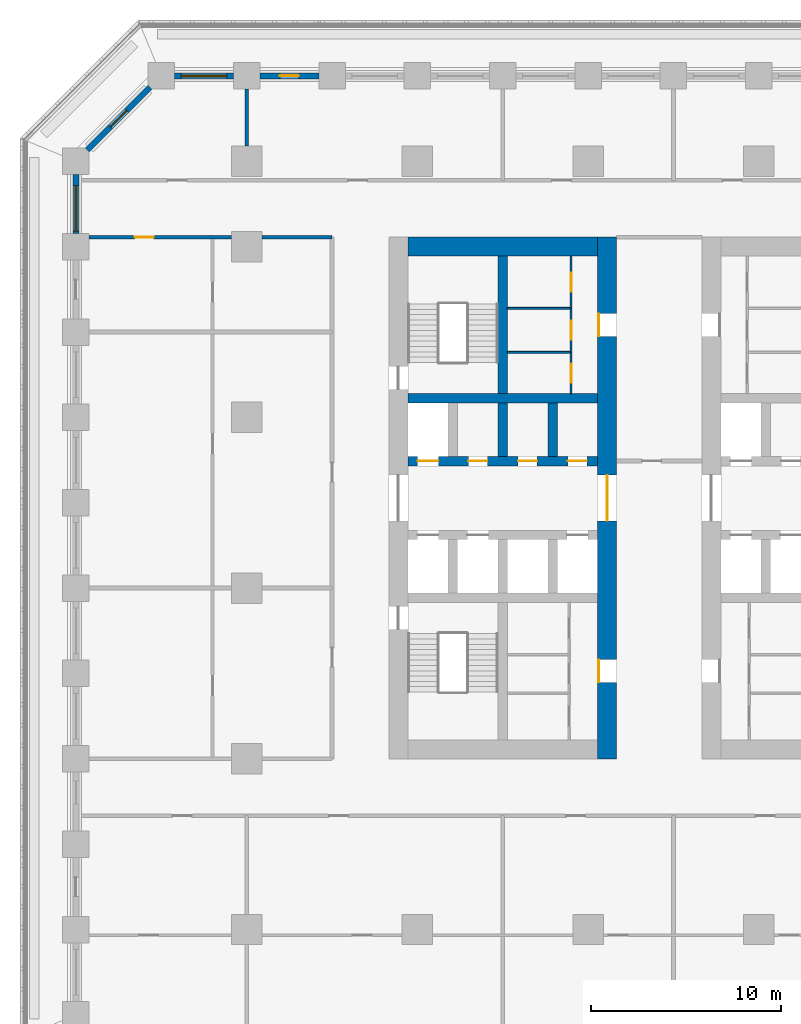
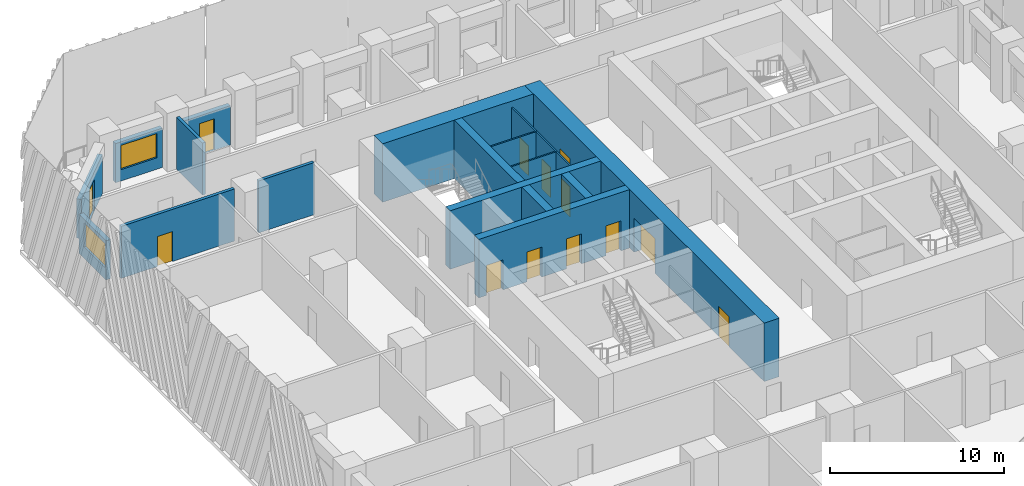
# One storey, part 14 of 31: 19 walls, 13 doors, 2 windows, 15 openings.
"""IFC4 building model written with IfcOpenShell, lengths in metres."""

from ifc_helpers import new_model, si_unit, direction, frame, frame_2d, origin, place, context, subcontext, project, spatial, rectangle, extrude, material, layer, layer_set, type_object, element, fill, save


model = new_model("IFC4")

# Units and contexts
model_context = context("Model", 3, precision=1e-05, world=origin(), true_north=direction((0.0, 1.0)))
body_context = subcontext(model_context, "Body", "Model", "MODEL_VIEW")
ifc_project = project(units=[si_unit("LENGTHUNIT", "METRE"), si_unit("AREAUNIT", "SQUARE_METRE"), si_unit("VOLUMEUNIT", "CUBIC_METRE"), si_unit("PLANEANGLEUNIT", "RADIAN"), si_unit("MASSUNIT", "GRAM", prefix="KILO")], contexts=[model_context])

# Site, building, storey
site_placement = place(None, origin())
site = spatial("IfcSite", under=ifc_project, at=site_placement, CompositionType="ELEMENT")
building_placement = place(site_placement, origin())
building = spatial("IfcBuilding", under=site, at=building_placement, Name="Corbel Stack Research Tower", CompositionType="ELEMENT")
storey_placement = place(building_placement, frame((0.0, 0.0, 15.39990234375)))
storey = spatial("IfcBuildingStorey", under=building, at=storey_placement, Name="L03", CompositionType="ELEMENT", Elevation=15.39990234375)

# Wall, openings, doors
ifc_material_1 = material(Name="Concrete C70/85", Category="concrete")
ifc_layer_1 = layer(ifc_material_1, 1.0)
ifc_layer_set_1 = layer_set([ifc_layer_1], Name="Concrete C70/85")
wall_type_1 = type_object("IfcWallType", Name="CW-1000-70", PredefinedType="SHEAR", material=ifc_layer_set_1)
wall_1_placement = place(storey_placement, frame((1.0, -9.0, 0.0), z_axis=(0.0, 0.0, 1.0), x_axis=(0.0, 1.0, 0.0)))
wall_1 = element("IfcWall", 1, at=wall_1_placement, inside=storey, type_object=wall_type_1, Name="West core wall, east face L03", PredefinedType="SHEAR", context=body_context, shape_type="SweptSolid", body=[
    extrude(rectangle(XDim=27.5, YDim=1.0, at=frame_2d((13.75, 0.0))), origin(), (0.0, 0.0, 1.0), 4.10009765625),
])
opening_1_placement = place(wall_1_placement, frame((12.550048828125, 0.0, 0.0)))
opening_1 = element("IfcOpeningElement", 2, at=opening_1_placement, cuts=wall_1, Name="Opening CD-W-E", PredefinedType="OPENING", context=body_context, shape_type="SweptSolid", body=[
    extrude(rectangle(XDim=2.39990234375, YDim=2.39990234375, at=frame_2d((1.199951171875, 1.199951171875))), frame((0.0, 0.510009765625, 0.0), z_axis=(0.0, -1.0, 0.0), x_axis=(1.0, 0.0, 0.0)), (0.0, 0.0, 1.0), 1.02001953125),
])
opening_2_placement = place(wall_1_placement, frame((4.02490234375, 0.0, 0.0)))
opening_2 = element("IfcOpeningElement", 3, at=opening_2_placement, cuts=wall_1, Name="Opening CR-W12-W1-1200", PredefinedType="OPENING", context=body_context, shape_type="SweptSolid", body=[
    extrude(rectangle(XDim=1.199951171875, YDim=2.10009765625, at=frame_2d((0.60009765625, 1.050048828125))), frame((0.0, 0.510009765625, 0.0), z_axis=(0.0, -1.0, 0.0), x_axis=(1.0, 0.0, 0.0)), (0.0, 0.0, 1.0), 1.02001953125),
])
opening_3_placement = place(wall_1_placement, frame((22.27490234375, 0.0, 0.0)))
opening_3 = element("IfcOpeningElement", 4, at=opening_3_placement, cuts=wall_1, Name="Opening CR-W12-R1-1200", PredefinedType="OPENING", context=body_context, shape_type="SweptSolid", body=[
    extrude(rectangle(XDim=1.199951171875, YDim=2.10009765625, at=frame_2d((0.60009765625, 1.050048828125))), frame((0.0, 0.510009765625, 0.0), z_axis=(0.0, -1.0, 0.0), x_axis=(1.0, 0.0, 0.0)), (0.0, 0.0, 1.0), 1.02001953125),
])
ifc_material_2 = material(Name="Painted steel fire door", Category="steel")
door_type_1 = type_object("IfcDoorType", Name="Lobby door pair 2400 x 2400 FD30S", OperationType="DOUBLE_DOOR_DOUBLE_SWING", PredefinedType="DOOR", material=ifc_material_2)
door_1_placement = place(opening_1_placement, origin())
door_1 = element("IfcDoor", 5, at=door_1_placement, inside=storey, type_object=door_type_1, Name="Lift lobby door W core E", OperationType="DOUBLE_DOOR_DOUBLE_SWING", OverallHeight=2.39990234375, OverallWidth=2.39990234375, PredefinedType="DOOR", context=body_context, shape_type="SweptSolid", body=[
    extrude(rectangle(XDim=2.39990234375, YDim=2.39990234375, at=frame_2d((1.199951171875, 1.199951171875))), frame((0.0, 0.02490234375, 0.0), z_axis=(0.0, -1.0, 0.0), x_axis=(1.0, 0.0, 0.0)), (0.0, 0.0, 1.0), 0.050048828125),
])
fill(opening_1, door_1)
ifc_material_3 = material(Name="Painted steel door", Category="steel")
door_type_2 = type_object("IfcDoorType", Name="Service door 1200 x 2100 FD30 left hand", OperationType="SINGLE_SWING_LEFT", PredefinedType="DOOR", material=ifc_material_3)
door_2_placement = place(opening_3_placement, origin())
door_2 = element("IfcDoor", 6, at=door_2_placement, inside=storey, type_object=door_type_2, Name="Service passage door W core", OperationType="SINGLE_SWING_LEFT", OverallHeight=2.10009765625, OverallWidth=1.199951171875, PredefinedType="DOOR", context=body_context, shape_type="SweptSolid", body=[
    extrude(rectangle(XDim=1.199951171875, YDim=2.10009765625, at=frame_2d((0.60009765625, 1.050048828125))), frame((0.0, 0.47509765625, 0.0), z_axis=(0.0, -1.0, 0.0), x_axis=(1.0, 0.0, 0.0)), (0.0, 0.0, 1.0), 0.050048828125),
])
fill(opening_3, door_2)
ifc_material_4 = material(Name="Painted timber door", Category="wood")
door_type_3 = type_object("IfcDoorType", Name="WC door 1200 x 2100 left hand", OperationType="SINGLE_SWING_LEFT", PredefinedType="DOOR", material=ifc_material_4)
door_3_placement = place(opening_2_placement, origin())
door_3 = element("IfcDoor", 7, at=door_3_placement, inside=storey, type_object=door_type_3, Name="WC lobby door W core", OperationType="SINGLE_SWING_LEFT", OverallHeight=2.10009765625, OverallWidth=1.199951171875, PredefinedType="DOOR", context=body_context, shape_type="SweptSolid", body=[
    extrude(rectangle(XDim=1.199951171875, YDim=2.10009765625, at=frame_2d((0.60009765625, 1.050048828125))), frame((0.0, 0.47509765625, 0.0), z_axis=(0.0, -1.0, 0.0), x_axis=(1.0, 0.0, 0.0)), (0.0, 0.0, 1.0), 0.050048828125),
])
fill(opening_2, door_3)

# Wall
wall_2_placement = place(storey_placement, frame((-9.5, 18.0, 0.0), z_axis=(0.0, 0.0, 1.0), x_axis=(1.0, 0.0, 0.0)))
element("IfcWall", 8, at=wall_2_placement, inside=storey, type_object=wall_type_1, Name="West core wall, north end L03", PredefinedType="SHEAR", context=body_context, shape_type="SweptSolid", body=[
    extrude(rectangle(XDim=10.0, YDim=1.0, at=frame_2d((5.0, 0.0))), origin(), (0.0, 0.0, 1.0), 4.10009765625),
])

# Wall, openings, doors
ifc_material_5 = material(Name="Concrete C70/85", Category="concrete")
ifc_layer_2 = layer(ifc_material_5, 0.5)
ifc_layer_set_2 = layer_set([ifc_layer_2], Name="Concrete C70/85")
wall_type_2 = type_object("IfcWallType", Name="CW-500-70", PredefinedType="SHEAR", material=ifc_layer_set_2)
wall_3_placement = place(storey_placement, frame((-9.5, 6.699951171875, 0.0), z_axis=(0.0, 0.0, 1.0), x_axis=(1.0, 0.0, 0.0)))
wall_3 = element("IfcWall", 9, at=wall_3_placement, inside=storey, type_object=wall_type_2, Name="West core wall, lobby north L03", PredefinedType="SHEAR", context=body_context, shape_type="SweptSolid", body=[
    extrude(rectangle(XDim=10.0, YDim=0.5, at=frame_2d((5.0, 0.0))), origin(), (0.0, 0.0, 1.0), 4.10009765625),
])
opening_4_placement = place(wall_3_placement, frame((0.512451171875, 0.0, 0.0)))
opening_4 = element("IfcOpeningElement", 10, at=opening_4_placement, cuts=wall_3, Name="Opening LD-LR2", PredefinedType="OPENING", context=body_context, shape_type="SweptSolid", body=[
    extrude(rectangle(XDim=1.10009765625, YDim=2.10009765625, at=frame_2d((0.550048828125, 1.050048828125))), frame((0.0, 0.260009765625, 0.0), z_axis=(0.0, -1.0, 0.0), x_axis=(1.0, 0.0, 0.0)), (0.0, 0.0, 1.0), 0.52001953125),
])
opening_5_placement = place(wall_3_placement, frame((3.1875, 0.0, 0.0)))
opening_5 = element("IfcOpeningElement", 11, at=opening_5_placement, cuts=wall_3, Name="Opening CR-W12-N2", PredefinedType="OPENING", context=body_context, shape_type="SweptSolid", body=[
    extrude(rectangle(XDim=1.0, YDim=2.10009765625, at=frame_2d((0.5, 1.050048828125))), frame((0.0, 0.260009765625, 0.0), z_axis=(0.0, -1.0, 0.0), x_axis=(1.0, 0.0, 0.0)), (0.0, 0.0, 1.0), 0.52001953125),
])
opening_6_placement = place(wall_3_placement, frame((5.8125, 0.0, 0.0)))
opening_6 = element("IfcOpeningElement", 12, at=opening_6_placement, cuts=wall_3, Name="Opening CR-W12-N3", PredefinedType="OPENING", context=body_context, shape_type="SweptSolid", body=[
    extrude(rectangle(XDim=1.0, YDim=2.10009765625, at=frame_2d((0.5, 1.050048828125))), frame((0.0, 0.260009765625, 0.0), z_axis=(0.0, -1.0, 0.0), x_axis=(1.0, 0.0, 0.0)), (0.0, 0.0, 1.0), 0.52001953125),
])
opening_7_placement = place(wall_3_placement, frame((8.4375, 0.0, 0.0)))
opening_7 = element("IfcOpeningElement", 13, at=opening_7_placement, cuts=wall_3, Name="Opening CR-W12-N4", PredefinedType="OPENING", context=body_context, shape_type="SweptSolid", body=[
    extrude(rectangle(XDim=1.0, YDim=2.10009765625, at=frame_2d((0.5, 1.050048828125))), frame((0.0, 0.260009765625, 0.0), z_axis=(0.0, -1.0, 0.0), x_axis=(1.0, 0.0, 0.0)), (0.0, 0.0, 1.0), 0.52001953125),
])
ifc_material_6 = material(Name="Stainless steel landing door", Category="steel")
door_type_4 = type_object("IfcDoorType", Name="Lift landing door 1100 x 2100", OperationType="DOUBLE_DOOR_SLIDING", PredefinedType="DOOR", material=ifc_material_6)
door_4_placement = place(opening_4_placement, origin())
door_4 = element("IfcDoor", 14, at=door_4_placement, inside=storey, type_object=door_type_4, Name="Landing door LR2", OperationType="DOUBLE_DOOR_SLIDING", OverallHeight=2.10009765625, OverallWidth=1.10009765625, PredefinedType="DOOR", context=body_context, shape_type="SweptSolid", body=[
    extrude(rectangle(XDim=1.10009765625, YDim=2.10009765625, at=frame_2d((0.550048828125, 1.050048828125))), frame((0.0, 0.02490234375, 0.0), z_axis=(0.0, -1.0, 0.0), x_axis=(1.0, 0.0, 0.0)), (0.0, 0.0, 1.0), 0.050048828125),
])
fill(opening_4, door_4)
ifc_material_7 = material(Name="Painted steel door", Category="steel")
door_type_5 = type_object("IfcDoorType", Name="Service door 1000 x 2100 FD60 left hand", OperationType="SINGLE_SWING_LEFT", PredefinedType="DOOR", material=ifc_material_7)
door_5_placement = place(opening_6_placement, origin())
door_5 = element("IfcDoor", 15, at=door_5_placement, inside=storey, type_object=door_type_5, Name="Laboratory consumables store door W core", OperationType="SINGLE_SWING_LEFT", OverallHeight=2.10009765625, OverallWidth=1.0, PredefinedType="DOOR", context=body_context, shape_type="SweptSolid", body=[
    extrude(rectangle(XDim=1.0, YDim=2.10009765625, at=frame_2d((0.5, 1.050048828125))), frame((0.0, 0.02490234375, 0.0), z_axis=(0.0, -1.0, 0.0), x_axis=(1.0, 0.0, 0.0)), (0.0, 0.0, 1.0), 0.050048828125),
])
fill(opening_6, door_5)
ifc_material_8 = material(Name="Painted steel door", Category="steel")
door_type_6 = type_object("IfcDoorType", Name="Service door 1000 x 2100 FD60 right hand", OperationType="SINGLE_SWING_RIGHT", PredefinedType="DOOR", material=ifc_material_8)
door_6_placement = place(opening_5_placement, origin())
door_6 = element("IfcDoor", 16, at=door_6_placement, inside=storey, type_object=door_type_6, Name="Staff WC door W core", OperationType="SINGLE_SWING_RIGHT", OverallHeight=2.10009765625, OverallWidth=1.0, PredefinedType="DOOR", context=body_context, shape_type="SweptSolid", body=[
    extrude(rectangle(XDim=1.0, YDim=2.10009765625, at=frame_2d((0.5, 1.050048828125))), frame((0.0, 0.02490234375, 0.0), z_axis=(0.0, -1.0, 0.0), x_axis=(1.0, 0.0, 0.0)), (0.0, 0.0, 1.0), 0.050048828125),
])
fill(opening_5, door_6)
door_7_placement = place(opening_7_placement, origin())
door_7 = element("IfcDoor", 17, at=door_7_placement, inside=storey, type_object=door_type_6, Name="Cleaner's store door W core", OperationType="SINGLE_SWING_RIGHT", OverallHeight=2.10009765625, OverallWidth=1.0, PredefinedType="DOOR", context=body_context, shape_type="SweptSolid", body=[
    extrude(rectangle(XDim=1.0, YDim=2.10009765625, at=frame_2d((0.5, 1.050048828125))), frame((0.0, 0.02490234375, 0.0), z_axis=(0.0, -1.0, 0.0), x_axis=(1.0, 0.0, 0.0)), (0.0, 0.0, 1.0), 0.050048828125),
])
fill(opening_7, door_7)

# Walls
wall_4_placement = place(storey_placement, frame((-9.5, 10.0, 0.0), z_axis=(0.0, 0.0, 1.0), x_axis=(1.0, 0.0, 0.0)))
element("IfcWall", 18, at=wall_4_placement, inside=storey, type_object=wall_type_2, Name="West core wall, north row back L03", PredefinedType="SHEAR", context=body_context, shape_type="SweptSolid", body=[
    extrude(rectangle(XDim=10.0, YDim=0.5, at=frame_2d((5.0, 0.0))), origin(), (0.0, 0.0, 1.0), 4.10009765625),
])
for number, where, z_axis, x_axis, name in (
    (19, (-4.5, 6.949951171875, 0.0), (0.0, 0.0, 1.0), (0.0, 1.0, 0.0), "West core wall, north shaft 2 L03"),
    (20, (-1.875, 6.949951171875, 0.0), (0.0, 0.0, 1.0), (0.0, 1.0, 0.0), "West core wall, north shaft 3 L03"),
):
    element("IfcWall", number, at=place(storey_placement, frame(where, z_axis=z_axis, x_axis=x_axis)), inside=storey, type_object=wall_type_2, Name=name, PredefinedType="SHEAR", context=body_context, shape_type="SweptSolid", body=[
        extrude(rectangle(XDim=2.800048828125, YDim=0.5, at=frame_2d((1.39990234375, 0.0))), origin(), (0.0, 0.0, 1.0), 4.10009765625),
    ])
wall_5_placement = place(storey_placement, frame((-4.5, 10.25, 0.0), z_axis=(0.0, 0.0, 1.0), x_axis=(0.0, 1.0, 0.0)))
element("IfcWall", 21, at=wall_5_placement, inside=storey, type_object=wall_type_2, Name="West core wall, north stair and riser L03", PredefinedType="SHEAR", context=body_context, shape_type="SweptSolid", body=[
    extrude(rectangle(XDim=7.25, YDim=0.5, at=frame_2d((3.625, 0.0))), origin(), (0.0, 0.0, 1.0), 4.10009765625),
])

# Wall, opening, door
ifc_material_9 = material(Name="Gypsum board")
ifc_layer_3 = layer(ifc_material_9, 0.10009765625)
ifc_layer_set_3 = layer_set([ifc_layer_3], Name="Gypsum board")
wall_type_3 = type_object("IfcWallType", Name="Core partition 100", PredefinedType="PARTITIONING", material=ifc_layer_set_3)
wall_6_placement = place(storey_placement, frame((-0.89990234375, 10.25, 0.0), z_axis=(0.0, 0.0, 1.0), x_axis=(0.0, 1.0, 0.0)))
wall_6 = element("IfcWall", 22, at=wall_6_placement, inside=storey, type_object=wall_type_3, Name="Core partition W", PredefinedType="PARTITIONING", context=body_context, shape_type="SweptSolid", body=[
    extrude(rectangle(XDim=2.175048828125, YDim=0.10009765625, at=frame_2d((1.08740234375, 0.0))), origin(), (0.0, 0.0, 1.0), 3.650146484375),
])
opening_8_placement = place(wall_6_placement, frame((0.58740234375, 0.0, 0.0)))
opening_8 = element("IfcOpeningElement", 23, at=opening_8_placement, cuts=wall_6, Name="Opening CR-W12-R2-1000", PredefinedType="OPENING", context=body_context, shape_type="SweptSolid", body=[
    extrude(rectangle(XDim=1.0, YDim=2.10009765625, at=frame_2d((0.5, 1.050048828125))), frame((0.0, 0.06005859375, 0.0), z_axis=(0.0, -1.0, 0.0), x_axis=(1.0, 0.0, 0.0)), (0.0, 0.0, 1.0), 0.1201171875),
])
ifc_material_10 = material(Name="Painted steel door", Category="steel")
door_type_7 = type_object("IfcDoorType", Name="Riser door 1000 x 2100 FD60 right hand", OperationType="SINGLE_SWING_RIGHT", PredefinedType="DOOR", material=ifc_material_10)
door_8_placement = place(opening_8_placement, origin())
door_8 = element("IfcDoor", 24, at=door_8_placement, inside=storey, type_object=door_type_7, Name="Mechanical riser door W core", OperationType="SINGLE_SWING_RIGHT", OverallHeight=2.10009765625, OverallWidth=1.0, PredefinedType="DOOR", context=body_context, shape_type="SweptSolid", body=[
    extrude(rectangle(XDim=1.0, YDim=2.10009765625, at=frame_2d((0.5, 1.050048828125))), frame((0.0, 0.02490234375, 0.0), z_axis=(0.0, -1.0, 0.0), x_axis=(1.0, 0.0, 0.0)), (0.0, 0.0, 1.0), 0.050048828125),
])
fill(opening_8, door_8)

wall_7_placement = place(storey_placement, frame((-0.89990234375, 12.425048828125, 0.0), z_axis=(0.0, 0.0, 1.0), x_axis=(0.0, 1.0, 0.0)))
wall_7 = element("IfcWall", 25, at=wall_7_placement, inside=storey, type_object=wall_type_3, Name="Core partition W", PredefinedType="PARTITIONING", context=body_context, shape_type="SweptSolid", body=[
    extrude(rectangle(XDim=2.320068359375, YDim=0.10009765625, at=frame_2d((1.16015625, 0.0))), origin(), (0.0, 0.0, 1.0), 3.650146484375),
])
opening_9_placement = place(wall_7_placement, frame((0.659912109375, 0.0, 0.0)))
opening_9 = element("IfcOpeningElement", 26, at=opening_9_placement, cuts=wall_7, Name="Opening CR-W12-R3-1000", PredefinedType="OPENING", context=body_context, shape_type="SweptSolid", body=[
    extrude(rectangle(XDim=1.0, YDim=2.10009765625, at=frame_2d((0.5, 1.050048828125))), frame((0.0, 0.06005859375, 0.0), z_axis=(0.0, -1.0, 0.0), x_axis=(1.0, 0.0, 0.0)), (0.0, 0.0, 1.0), 0.1201171875),
])
ifc_material_11 = material(Name="Painted steel door", Category="steel")
door_type_8 = type_object("IfcDoorType", Name="Service door 1000 x 2100 FD30 left hand", OperationType="SINGLE_SWING_LEFT", PredefinedType="DOOR", material=ifc_material_11)
door_9_placement = place(opening_9_placement, origin())
door_9 = element("IfcDoor", 27, at=door_9_placement, inside=storey, type_object=door_type_8, Name="Pantry door W core", OperationType="SINGLE_SWING_LEFT", OverallHeight=2.10009765625, OverallWidth=1.0, PredefinedType="DOOR", context=body_context, shape_type="SweptSolid", body=[
    extrude(rectangle(XDim=1.0, YDim=2.10009765625, at=frame_2d((0.5, 1.050048828125))), frame((0.0, 0.02490234375, 0.0), z_axis=(0.0, -1.0, 0.0), x_axis=(1.0, 0.0, 0.0)), (0.0, 0.0, 1.0), 0.050048828125),
])
fill(opening_9, door_9)

wall_8_placement = place(storey_placement, frame((-0.89990234375, 14.7451171875, 0.0), z_axis=(0.0, 0.0, 1.0), x_axis=(0.0, 1.0, 0.0)))
wall_8 = element("IfcWall", 28, at=wall_8_placement, inside=storey, type_object=wall_type_3, Name="Core partition W", PredefinedType="PARTITIONING", context=body_context, shape_type="SweptSolid", body=[
    extrude(rectangle(XDim=2.7548828125, YDim=0.10009765625, at=frame_2d((1.37744140625, 0.0))), origin(), (0.0, 0.0, 1.0), 3.650146484375),
])
opening_10_placement = place(wall_8_placement, frame((0.87744140625, 0.0, 0.0)))
opening_10 = element("IfcOpeningElement", 29, at=opening_10_placement, cuts=wall_8, Name="Opening CR-W12-R4-1000", PredefinedType="OPENING", context=body_context, shape_type="SweptSolid", body=[
    extrude(rectangle(XDim=1.0, YDim=2.10009765625, at=frame_2d((0.5, 1.050048828125))), frame((0.0, 0.06005859375, 0.0), z_axis=(0.0, -1.0, 0.0), x_axis=(1.0, 0.0, 0.0)), (0.0, 0.0, 1.0), 0.1201171875),
])
door_10_placement = place(opening_10_placement, origin())
door_10 = element("IfcDoor", 30, at=door_10_placement, inside=storey, type_object=door_type_7, Name="Electrical riser door W core", OperationType="SINGLE_SWING_RIGHT", OverallHeight=2.10009765625, OverallWidth=1.0, PredefinedType="DOOR", context=body_context, shape_type="SweptSolid", body=[
    extrude(rectangle(XDim=1.0, YDim=2.10009765625, at=frame_2d((0.5, 1.050048828125))), frame((0.0, 0.02490234375, 0.0), z_axis=(0.0, -1.0, 0.0), x_axis=(1.0, 0.0, 0.0)), (0.0, 0.0, 1.0), 0.050048828125),
])
fill(opening_10, door_10)

# Walls
for number, where, z_axis, x_axis, name in (
    (31, (-4.25, 12.425048828125, 0.0), (0.0, 0.0, 1.0), (1.0, 0.0, 0.0), "Core partition W"),
    (32, (-4.25, 14.7451171875, 0.0), (0.0, 0.0, 1.0), (1.0, 0.0, 0.0), "Core partition W"),
):
    element("IfcWall", number, at=place(storey_placement, frame(where, z_axis=z_axis, x_axis=x_axis)), inside=storey, type_object=wall_type_3, Name=name, PredefinedType="PARTITIONING", context=body_context, shape_type="SweptSolid", body=[
        extrude(rectangle(XDim=3.35009765625, YDim=0.10009765625, at=frame_2d((1.675048828125, 0.0))), origin(), (0.0, 0.0, 1.0), 3.650146484375),
    ])
ifc_material_12 = material(Name="Fire-rated gypsum board partition on steel studs", Category="steel")
ifc_layer_4 = layer(ifc_material_12, 0.199951171875)
ifc_layer_set_4 = layer_set([ifc_layer_4], Name="Fire-rated gypsum board partition on steel studs")
wall_type_4 = type_object("IfcWallType", Name="Fire-rated partition 200 EI 60", PredefinedType="PARTITIONING", material=ifc_layer_set_4)
wall_9_placement = place(storey_placement, frame((-18.0, 23.300048828125, 0.0), z_axis=(0.0, 0.0, 1.0), x_axis=(0.0, 1.0, 0.0)))
element("IfcWall", 33, at=wall_9_placement, inside=storey, type_object=wall_type_4, Name="Partition L03-004", PredefinedType="PARTITIONING", context=body_context, shape_type="SweptSolid", body=[
    extrude(rectangle(XDim=3.0, YDim=0.199951171875, at=frame_2d((1.5, 0.0))), origin(), (0.0, 0.0, 1.0), 3.650146484375),
])

# Wall, opening, door
wall_10_placement = place(storey_placement, frame((-18.800048828125, 18.5, 0.0), z_axis=(0.0, 0.0, 1.0), x_axis=(-1.0, 0.0, 0.0)))
wall_10 = element("IfcWall", 34, at=wall_10_placement, inside=storey, type_object=wall_type_4, Name="Partition L03-035", PredefinedType="PARTITIONING", context=body_context, shape_type="SweptSolid", body=[
    extrude(rectangle(XDim=7.5, YDim=0.199951171875, at=frame_2d((3.75, 0.0))), origin(), (0.0, 0.0, 1.0), 3.650146484375),
])
opening_11_placement = place(wall_10_placement, frame((4.10009765625, 0.0, 0.0)))
opening_11 = element("IfcOpeningElement", 35, at=opening_11_placement, cuts=wall_10, Name="Opening B1V0-019", PredefinedType="OPENING", context=body_context, shape_type="SweptSolid", body=[
    extrude(rectangle(XDim=1.0, YDim=2.10009765625, at=frame_2d((0.5, 1.050048828125))), frame((0.0, 0.10986328125, 0.0), z_axis=(0.0, -1.0, 0.0), x_axis=(1.0, 0.0, 0.0)), (0.0, 0.0, 1.0), 0.219970703125),
])
ifc_material_13 = material(Name="Painted steel fire door", Category="steel")
door_type_9 = type_object("IfcDoorType", Name="Fire door FD30S 1000 x 2100", OperationType="NOTDEFINED", PredefinedType="DOOR", material=ifc_material_13)
door_11_placement = place(opening_11_placement, origin())
door_11 = element("IfcDoor", 36, at=door_11_placement, inside=storey, type_object=door_type_9, Name="Door B1V0-019", OperationType="SINGLE_SWING_RIGHT", OverallHeight=2.10009765625, OverallWidth=1.0, PredefinedType="DOOR", context=body_context, shape_type="SweptSolid", body=[
    extrude(rectangle(XDim=1.0, YDim=2.10009765625, at=frame_2d((0.5, 1.050048828125))), frame((0.0, 0.02490234375, 0.0), z_axis=(0.0, -1.0, 0.0), x_axis=(1.0, 0.0, 0.0)), (0.0, 0.0, 1.0), 0.050048828125),
])
fill(opening_11, door_11)

# Wall
wall_11_placement = place(storey_placement, frame((-17.199951171875, 18.5, 0.0), z_axis=(0.0, 0.0, 1.0), x_axis=(1.0, 0.0, 0.0)))
element("IfcWall", 37, at=wall_11_placement, inside=storey, type_object=wall_type_4, Name="Partition L03-036", PredefinedType="PARTITIONING", context=body_context, shape_type="SweptSolid", body=[
    extrude(rectangle(XDim=3.699951171875, YDim=0.199951171875, at=frame_2d((1.85009765625, 0.0))), origin(), (0.0, 0.0, 1.0), 3.650146484375),
])

# Wall, opening, door
ifc_material_14 = material(Name="Concrete C45/55", Category="concrete")
ifc_layer_5 = layer(ifc_material_14, 0.300048828125)
ifc_layer_set_5 = layer_set([ifc_layer_5], Name="Concrete C45/55")
wall_type_5 = type_object("IfcWallType", Name="Terracotta-faced concrete wall 300", PredefinedType="SOLIDWALL", material=ifc_layer_set_5)
wall_12_placement = place(storey_placement, frame((-17.300048828125, 27.0, 0.0), z_axis=(0.0, 0.0, 1.0), x_axis=(1.0, 0.0, 0.0)))
wall_12 = element("IfcWall", 38, at=wall_12_placement, inside=storey, type_object=wall_type_5, Name="Facade wall L03 N09", PredefinedType="SOLIDWALL", context=body_context, shape_type="SweptSolid", body=[
    extrude(rectangle(XDim=3.10009765625, YDim=0.300048828125, at=frame_2d((1.550048828125, 0.0))), origin(), (0.0, 0.0, 1.0), 2.75),
])
opening_12_placement = place(wall_12_placement, frame((1.050048828125, 0.0, 0.0)))
opening_12 = element("IfcOpeningElement", 39, at=opening_12_placement, cuts=wall_12, Name="Opening L03-B08", PredefinedType="OPENING", context=body_context, shape_type="SweptSolid", body=[
    extrude(rectangle(XDim=1.0, YDim=2.199951171875, at=frame_2d((0.5, 1.10009765625))), frame((0.0, 0.159912109375, 0.0), z_axis=(0.0, -1.0, 0.0), x_axis=(1.0, 0.0, 0.0)), (0.0, 0.0, 1.0), 0.320068359375),
])
ifc_material_15 = material(Name="Aluminium frame, clear double glazing", Category="aluminium")
door_type_10 = type_object("IfcDoorType", Name="Balcony door BD1 1000 x 2200", OperationType="NOTDEFINED", PredefinedType="DOOR", material=ifc_material_15)
door_12_placement = place(opening_12_placement, origin())
door_12 = element("IfcDoor", 40, at=door_12_placement, inside=storey, type_object=door_type_10, Name="Balcony door L03-B08", OperationType="SINGLE_SWING_RIGHT", OverallHeight=2.199951171875, OverallWidth=1.0, PredefinedType="DOOR", context=body_context, shape_type="SweptSolid", body=[
    extrude(rectangle(XDim=1.0, YDim=2.199951171875, at=frame_2d((0.5, 1.10009765625))), frame((0.0, 0.02490234375, 0.0), z_axis=(0.0, -1.0, 0.0), x_axis=(1.0, 0.0, 0.0)), (0.0, 0.0, 1.0), 0.050048828125),
])
fill(opening_12, door_12)

# Wall, opening, window
wall_13_placement = place(storey_placement, frame((-21.800048828125, 27.0, 0.0), z_axis=(0.0, 0.0, 1.0), x_axis=(1.0, 0.0, 0.0)))
wall_13 = element("IfcWall", 41, at=wall_13_placement, inside=storey, type_object=wall_type_5, Name="Facade wall L03 N10", PredefinedType="SOLIDWALL", context=body_context, shape_type="SweptSolid", body=[
    extrude(rectangle(XDim=3.10009765625, YDim=0.300048828125, at=frame_2d((1.550048828125, 0.0))), origin(), (0.0, 0.0, 1.0), 2.75),
])
opening_13_placement = place(wall_13_placement, frame((0.35009765625, 0.0, 0.800048828125)))
opening_13 = element("IfcOpeningElement", 42, at=opening_13_placement, cuts=wall_13, Name="Opening W1", PredefinedType="OPENING", context=body_context, shape_type="SweptSolid", body=[
    extrude(rectangle(XDim=2.39990234375, YDim=1.699951171875, at=frame_2d((1.199951171875, 0.85009765625))), frame((0.0, 0.159912109375, 0.0), z_axis=(0.0, -1.0, 0.0), x_axis=(1.0, 0.0, 0.0)), (0.0, 0.0, 1.0), 0.320068359375),
])
ifc_material_16 = material(Name="Aluminium frame, clear double glazing", Category="aluminium")
window_type = type_object("IfcWindowType", Name="Window W1 2400 x 1700", PartitioningType="SINGLE_PANEL", PredefinedType="WINDOW", material=ifc_material_16)
window_1_placement = place(opening_13_placement, origin())
window_1 = element("IfcWindow", 43, at=window_1_placement, inside=storey, type_object=window_type, Name="Window W1 L03 N10", OverallHeight=1.699951171875, OverallWidth=2.39990234375, PartitioningType="SINGLE_PANEL", PredefinedType="WINDOW", context=body_context, shape_type="SweptSolid", body=[
    extrude(rectangle(XDim=2.39990234375, YDim=1.699951171875, at=frame_2d((1.199951171875, 0.85009765625))), frame((0.0, 0.030029296875, 0.0), z_axis=(0.0, -1.0, 0.0), x_axis=(1.0, 0.0, 0.0)), (0.0, 0.0, 1.0), 0.06005859375),
])
fill(opening_13, window_1)

# Wall, opening, door
wall_14_placement = place(storey_placement, frame((-26.406005859375, 23.093994140625, 0.0), z_axis=(0.0, 0.0, 1.0), x_axis=(0.707106781187, 0.707106781187, 0.0)))
wall_14 = element("IfcWall", 44, at=wall_14_placement, inside=storey, type_object=wall_type_5, Name="Facade wall L03 NW01", PredefinedType="SOLIDWALL", context=body_context, shape_type="SweptSolid", body=[
    extrude(rectangle(XDim=4.683837890625, YDim=0.300048828125, at=frame_2d((2.341796875, 0.0))), origin(), (0.0, 0.0, 1.0), 2.75),
])
opening_14_placement = place(wall_14_placement, frame((1.741943359375, 0.0, 0.0)))
opening_14 = element("IfcOpeningElement", 45, at=opening_14_placement, cuts=wall_14, Name="Opening L03-B09", PredefinedType="OPENING", context=body_context, shape_type="SweptSolid", body=[
    extrude(rectangle(XDim=1.199951171875, YDim=2.199951171875, at=frame_2d((0.60009765625, 1.10009765625))), frame((0.0, 0.159912109375, 0.0), z_axis=(0.0, -1.0, 0.0), x_axis=(1.0, 0.0, 0.0)), (0.0, 0.0, 1.0), 0.320068359375),
])
ifc_material_17 = material(Name="Aluminium frame, clear double glazing", Category="aluminium")
door_type_11 = type_object("IfcDoorType", Name="Balcony door BD2 1200 x 2200", OperationType="NOTDEFINED", PredefinedType="DOOR", material=ifc_material_17)
door_13_placement = place(opening_14_placement, origin())
door_13 = element("IfcDoor", 46, at=door_13_placement, inside=storey, type_object=door_type_11, Name="Balcony door L03-B09", OperationType="SINGLE_SWING_RIGHT", OverallHeight=2.199951171875, OverallWidth=1.199951171875, PredefinedType="DOOR", context=body_context, shape_type="SweptSolid", body=[
    extrude(rectangle(XDim=1.199951171875, YDim=2.199951171875, at=frame_2d((0.60009765625, 1.10009765625))), frame((0.0, 0.02490234375, 0.0), z_axis=(0.0, -1.0, 0.0), x_axis=(1.0, 0.0, 0.0)), (0.0, 0.0, 1.0), 0.050048828125),
])
fill(opening_14, door_13)

# Wall, opening, window
wall_15_placement = place(storey_placement, frame((-27.0, 18.699951171875, 0.0), z_axis=(0.0, 0.0, 1.0), x_axis=(0.0, 1.0, 0.0)))
wall_15 = element("IfcWall", 47, at=wall_15_placement, inside=storey, type_object=wall_type_5, Name="Facade wall L03 W01", PredefinedType="SOLIDWALL", context=body_context, shape_type="SweptSolid", body=[
    extrude(rectangle(XDim=3.10009765625, YDim=0.300048828125, at=frame_2d((1.550048828125, 0.0))), origin(), (0.0, 0.0, 1.0), 2.75),
])
opening_15_placement = place(wall_15_placement, frame((0.125, 0.0, 0.800048828125)))
opening_15 = element("IfcOpeningElement", 48, at=opening_15_placement, cuts=wall_15, Name="Opening W1", PredefinedType="OPENING", context=body_context, shape_type="SweptSolid", body=[
    extrude(rectangle(XDim=2.39990234375, YDim=1.699951171875, at=frame_2d((1.199951171875, 0.85009765625))), frame((0.0, 0.159912109375, 0.0), z_axis=(0.0, -1.0, 0.0), x_axis=(1.0, 0.0, 0.0)), (0.0, 0.0, 1.0), 0.320068359375),
])
window_2_placement = place(opening_15_placement, origin())
window_2 = element("IfcWindow", 49, at=window_2_placement, inside=storey, type_object=window_type, Name="Window W1 L03 W01", OverallHeight=1.699951171875, OverallWidth=2.39990234375, PartitioningType="SINGLE_PANEL", PredefinedType="WINDOW", context=body_context, shape_type="SweptSolid", body=[
    extrude(rectangle(XDim=2.39990234375, YDim=1.699951171875, at=frame_2d((1.199951171875, 0.85009765625))), frame((0.0, 0.030029296875, 0.0), z_axis=(0.0, -1.0, 0.0), x_axis=(1.0, 0.0, 0.0)), (0.0, 0.0, 1.0), 0.06005859375),
])
fill(opening_15, window_2)

save(model, "model.ifc")
